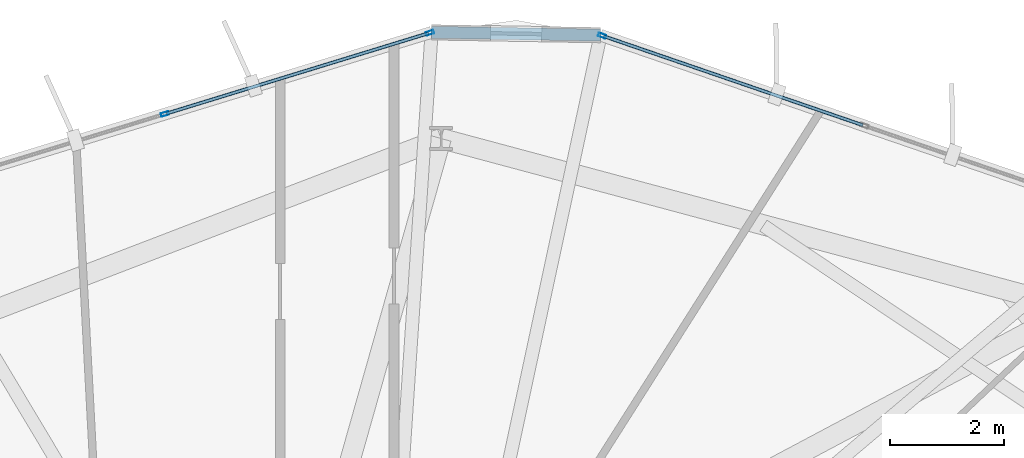
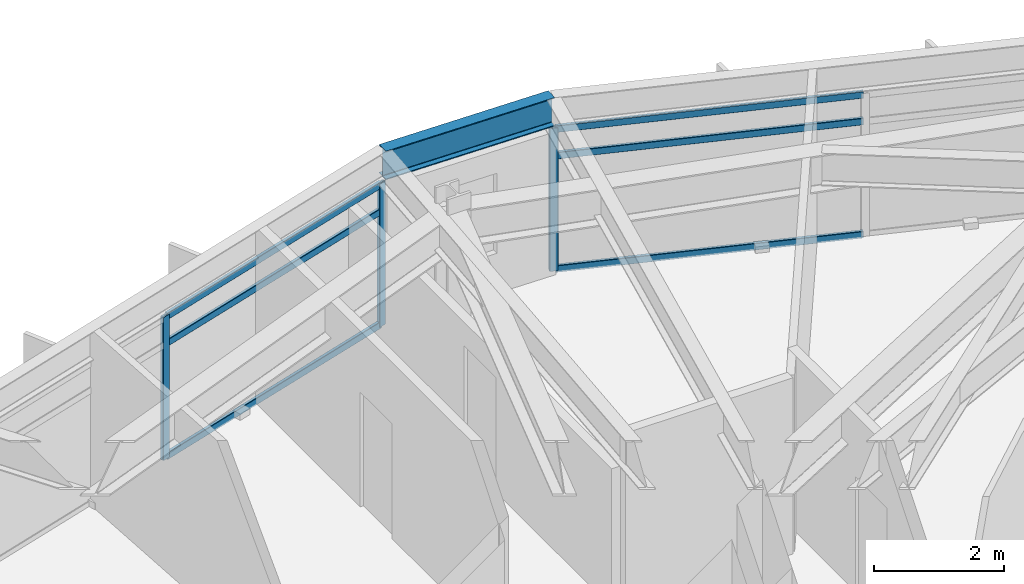
# One storey, part 18 of 29: 9 members, 1 beam, 2 elements without a shape of their own.
"""IFC4 building model written with IfcOpenShell, lengths in metres."""

import ifcopenshell
import ifcopenshell.guid

model = None  # the IFC model being written
_history = None  # IfcOwnerHistory: only IFC2X3 demands one
_inside = {}  # id of a spatial element -> (the spatial element, [elements in it])
_under = {}  # id of a project, library or spatial element -> (it, [spatial elements below it])
_declared = {}  # id of a project -> (the project, [libraries it declares])
_typed = {}  # id of a type object -> (the type object, [elements of that type])
_made_of = {}  # id of a material, layer set ... -> (it, [elements and type objects made of it])


def new_model(schema):
    """Start an empty IFC model of exactly this schema.

    Asked for "IFC4X3", IfcOpenShell would pick the latest addendum, in which some entities
    have other attributes; the version numbers below select the first issue.
    IFC2X3 requires an IfcOwnerHistory on every rooted entity: one is made here for all.
    """
    global model, _history
    if schema == "IFC4X3":
        model = ifcopenshell.file(schema_version=(4, 3, 0, 0))
    else:
        model = ifcopenshell.file(schema=schema)
    _inside.clear()
    _under.clear()
    _declared.clear()
    _typed.clear()
    _made_of.clear()
    _history = None
    if model.schema == "IFC2X3":
        org = make("IfcOrganization", Name="unknown")
        user = make(
            "IfcPersonAndOrganization",
            ThePerson=make("IfcPerson", FamilyName="unknown"),
            TheOrganization=org,
        )
        app = make(
            "IfcApplication",
            ApplicationDeveloper=org,
            Version="unknown",
            ApplicationFullName="unknown",
            ApplicationIdentifier="unknown",
        )
        _history = make(
            "IfcOwnerHistory",
            OwningUser=user,
            OwningApplication=app,
            ChangeAction="ADDED",
            CreationDate=0,
        )
    return model


def make(cls, **values):
    """One entity of the class cls with the attributes given. An attribute that is None is left unset."""
    return model.create_entity(
        cls, **{name: value for name, value in values.items() if value is not None}
    )


def rooted(cls, **values):
    """An entity with a GlobalId (a new one), such as an element, a storey or a relation."""
    return make(cls, GlobalId=ifcopenshell.guid.new(), OwnerHistory=_history, **values)


def si_unit(unit_type, name, prefix=None):
    """IfcSIUnit, for example si_unit("LENGTHUNIT", "METRE", prefix="MILLI")."""
    return make("IfcSIUnit", UnitType=unit_type, Prefix=prefix, Name=name)


def assignment(units):
    """IfcUnitAssignment: the units of a project."""
    return None if units is None else make("IfcUnitAssignment", Units=units)


def point(xyz):
    """IfcCartesianPoint."""
    return None if xyz is None else make("IfcCartesianPoint", Coordinates=xyz)


def direction(xyz):
    """IfcDirection."""
    return None if xyz is None else make("IfcDirection", DirectionRatios=xyz)


def frame(location, z_axis=None, x_axis=None):
    """IfcAxis2Placement3D, a coordinate frame: its origin and axes. An axis left out is left unset."""
    return make(
        "IfcAxis2Placement3D",
        Location=point(location),
        Axis=direction(z_axis),
        RefDirection=direction(x_axis),
    )


def frame_2d(location, x_axis=None):
    """IfcAxis2Placement2D, a coordinate frame in the plane: its origin and x axis."""
    return make(
        "IfcAxis2Placement2D", Location=point(location), RefDirection=direction(x_axis)
    )


def origin():
    """The frame at (0, 0, 0) with its axes left unset."""
    return frame((0.0, 0.0, 0.0))


def origin_2d():
    """The frame at (0, 0) in the plane with its x axis left unset."""
    return frame_2d((0.0, 0.0))


def place(relative_to, where):
    """IfcLocalPlacement: puts the frame where relative to a parent placement (None: the world)."""
    return make(
        "IfcLocalPlacement", PlacementRelTo=relative_to, RelativePlacement=where
    )


def context(
    kind, dimensions, precision=None, world=None, true_north=None, identifier=None
):
    """IfcGeometricRepresentationContext, for example the 3D "Model" context."""
    return make(
        "IfcGeometricRepresentationContext",
        ContextIdentifier=identifier,
        ContextType=kind,
        CoordinateSpaceDimension=dimensions,
        Precision=precision,
        WorldCoordinateSystem=world,
        TrueNorth=true_north,
    )


def subcontext(parent, identifier, kind, view, scale=None):
    """IfcGeometricRepresentationSubContext, for example "Body" below "Model"."""
    return make(
        "IfcGeometricRepresentationSubContext",
        ContextIdentifier=identifier,
        ContextType=kind,
        ParentContext=parent,
        TargetScale=scale,
        TargetView=view,
    )


def project(units=None, contexts=None):
    """IfcProject with its units and contexts."""
    return rooted(
        "IfcProject",
        Name="project",
        RepresentationContexts=contexts,
        UnitsInContext=assignment(units),
    )


def spatial(cls, under=None, at=None, **own):
    """A site, building, storey or space (cls), placed at a placement, below another one or the project."""
    s = rooted(cls, ObjectPlacement=at, **own)
    if under is not None:
        _under.setdefault(under.id(), (under, []))[1].append(s)
    return s


def profile(cls, at=None, kind="AREA", **sizes):
    """A parametric profile (cls). Its sizes go by their IFC names, for example OverallWidth=200.0."""
    return make(cls, ProfileType=kind, Position=at, **sizes)


def hollow_rectangle(**sizes):
    """IfcRectangleHollowProfileDef."""
    return profile("IfcRectangleHollowProfileDef", **sizes)


def i_section(**sizes):
    """IfcIShapeProfileDef."""
    return profile("IfcIShapeProfileDef", **sizes)


def extrude(swept, where, along, depth):
    """IfcExtrudedAreaSolid: the profile swept, set in the frame where, extruded along a direction by depth."""
    return make(
        "IfcExtrudedAreaSolid",
        SweptArea=swept,
        Position=where,
        ExtrudedDirection=direction(along),
        Depth=depth,
    )


def shape(context_of_items, identifier, shape_type, items):
    """IfcShapeRepresentation: the items that make up one representation, for example the "Body"."""
    return make(
        "IfcShapeRepresentation",
        ContextOfItems=context_of_items,
        RepresentationIdentifier=identifier,
        RepresentationType=shape_type,
        Items=items,
    )


def material(Name=None, Category=None):
    """IfcMaterial."""
    return make("IfcMaterial", Name=Name, Category=Category)


def layer(
    of_material, thickness, ventilated=None, Name=None, Category=None, Priority=None
):
    """IfcMaterialLayer: one layer of a wall or slab, of a material (None: an air gap)."""
    return make(
        "IfcMaterialLayer",
        Material=of_material,
        LayerThickness=thickness,
        IsVentilated=ventilated,
        Name=Name,
        Category=Category,
        Priority=Priority,
    )


def layer_set(layers, Name=None):
    """IfcMaterialLayerSet."""
    return make("IfcMaterialLayerSet", MaterialLayers=layers, LayerSetName=Name)


def material_profile(
    of_material, cross_section, Name=None, Category=None, Priority=None
):
    """IfcMaterialProfile: a cross section and its material."""
    return make(
        "IfcMaterialProfile",
        Name=Name,
        Material=of_material,
        Profile=cross_section,
        Priority=Priority,
        Category=Category,
    )


def profile_set(profiles, Name=None, composite=None):
    """IfcMaterialProfileSet."""
    return make(
        "IfcMaterialProfileSet",
        Name=Name,
        MaterialProfiles=profiles,
        CompositeProfile=composite,
    )


def made_of(thing, what):
    """Note that an element or type object is made of a material, layer set ...; save() writes the relation."""
    if what is not None:
        _made_of.setdefault(what.id(), (what, []))[1].append(thing)
    return thing


def type_object(cls, material=None, **own):
    """A type object (cls), such as IfcWallType, which elements share."""
    return made_of(rooted(cls, **own), material)


def element(
    cls,
    number,
    at=None,
    inside=None,
    cuts=None,
    type_object=None,
    material=None,
    context=None,
    identifier="Body",
    shape_type=None,
    held_by="IfcProductDefinitionShape",
    body=None,
    shapes=None,
    **own,
):
    """One element of the class cls, such as IfcWall. Its Tag is "e" and its number.

    at: its placement. inside: the storey or other place that contains it. cuts: it is an
    opening in that element (IfcRelVoidsElement). A single representation is given by context,
    identifier, shape_type and body (its items); several are given by shapes. held_by: the class
    of the entity that holds the representations. save() writes the other relations.
    """
    e = rooted(cls, Tag="e%d" % number, ObjectPlacement=at, **own)
    if body is not None:
        shapes = [shape(context, identifier, shape_type, body)]
    if shapes is not None:
        e.Representation = make(held_by, Representations=shapes)
    if inside is not None:
        _inside.setdefault(inside.id(), (inside, []))[1].append(e)
    if cuts is not None:
        rooted(
            "IfcRelVoidsElement", RelatingBuildingElement=cuts, RelatedOpeningElement=e
        )
    if type_object is not None:
        _typed.setdefault(type_object.id(), (type_object, []))[1].append(e)
    return made_of(e, material)


def aggregate(whole, parts):
    """IfcRelAggregates: a whole, such as a stair, and the parts it consists of."""
    return rooted("IfcRelAggregates", RelatingObject=whole, RelatedObjects=parts)


def save(model, path):
    """Write the relations noted so far, then the file.

    IfcRelAggregates (storeys below a building ...), IfcRelContainedInSpatialStructure (elements
    in a storey), IfcRelDefinesByType, IfcRelAssociatesMaterial and IfcRelDeclares: one each for
    every whole, place, type object, material and project.
    """
    for whole, parts in _under.values():
        aggregate(whole, parts)
    for where, things in _inside.values():
        rooted(
            "IfcRelContainedInSpatialStructure",
            RelatedElements=things,
            RelatingStructure=where,
        )
    for kind, things in _typed.values():
        rooted("IfcRelDefinesByType", RelatedObjects=things, RelatingType=kind)
    for what, things in _made_of.values():
        rooted("IfcRelAssociatesMaterial", RelatedObjects=things, RelatingMaterial=what)
    for by, libraries in _declared.values():
        rooted("IfcRelDeclares", RelatingContext=by, RelatedDefinitions=libraries)
    model.write(path)


model = new_model("IFC4")

# Units and contexts
model_context = context("Model", 3, precision=1e-05, world=origin(), true_north=direction((0.0, 1.0)))
body_context = subcontext(model_context, "Body", "Model", "MODEL_VIEW")
ifc_project = project(units=[si_unit("LENGTHUNIT", "METRE"), si_unit("AREAUNIT", "SQUARE_METRE"), si_unit("VOLUMEUNIT", "CUBIC_METRE"), si_unit("PLANEANGLEUNIT", "RADIAN"), si_unit("MASSUNIT", "GRAM", prefix="KILO")], contexts=[model_context])

# Site, building, storey
site_placement = place(None, origin())
site = spatial("IfcSite", under=ifc_project, at=site_placement, CompositionType="ELEMENT")
building_placement = place(site_placement, origin())
building = spatial("IfcBuilding", under=site, at=building_placement, Name="Soratama Intermodal Tower", CompositionType="ELEMENT")
storey_placement = place(building_placement, frame((0.0, 0.0, 226.60009765625)))
storey = spatial("IfcBuildingStorey", under=building, at=storey_placement, Name="L57", CompositionType="ELEMENT", Elevation=226.60009765625)

# Beam
ifc_material_1 = material(Name="Structural steel ASTM A992 Grade 50", Category="steel")
ifc_material_profile_1 = material_profile(ifc_material_1, i_section(OverallWidth=0.2099609375, OverallDepth=0.537109375, WebThickness=0.010986328125, FlangeThickness=0.017333984375, FilletRadius=0.012939453125, at=origin_2d()), Name="W21X68")
ifc_profile_set_1 = profile_set([ifc_material_profile_1], Name="Structural steel ASTM A992 Grade 50")
beam_type = type_object("IfcBeamType", Name="BM-SPN-W21X68", PredefinedType="SPANDREL", material=ifc_profile_set_1)
beam_placement = place(storey_placement, frame((46.824951171875, 45.389892578125, 3.031494140625), z_axis=(-0.999857667547, 0.016871415083, 0.0), x_axis=(-0.016871415083, -0.999857667547, 0.0)))
element("IfcBeam", 1, at=beam_placement, inside=storey, type_object=beam_type, Name="BS-L57-CRN01", PredefinedType="SPANDREL", context=body_context, shape_type="SweptSolid", body=[
    extrude(i_section(OverallWidth=0.2099609375, OverallDepth=0.537109375, WebThickness=0.010986328125, FlangeThickness=0.017333984375, FilletRadius=0.012939453125, at=origin_2d()), origin(), (0.0, 0.0, 1.0), 2.966552734375),
])

# Curtain wall, member
ifc_material_2 = material(Name="Double-glazed aluminium curtain wall", Category="aluminium")
ifc_layer = layer(ifc_material_2, 0.159912109375)
ifc_layer_set = layer_set([ifc_layer], Name="Double-glazed aluminium curtain wall")
curtain_wall_type = type_object("IfcCurtainWallType", Name="CW-SYS-5", PredefinedType="NOTDEFINED", material=ifc_layer_set)
curtain_wall_1_placement = place(storey_placement, origin())
curtain_wall_1 = element("IfcCurtainWall", 2, at=curtain_wall_1_placement, inside=storey, type_object=curtain_wall_type, Name="L57 Faceted Curtain Wall F01", PredefinedType="NOTDEFINED")
ifc_material_3 = material(Name="Anodised aluminium AA 6063-T6", Category="aluminium")
ifc_material_profile_2 = material_profile(ifc_material_3, hollow_rectangle(XDim=0.06494140625, YDim=0.139892578125, WallThickness=0.0048828125, InnerFilletRadius=0.0048828125, OuterFilletRadius=0.010009765625, at=origin_2d()), Name="CWM140X65X5")
ifc_profile_set_2 = profile_set([ifc_material_profile_2], Name="Anodised aluminium AA 6063-T6")
member_type_1 = type_object("IfcMemberType", Name="MT-CWM-5", PredefinedType="MULLION", material=ifc_profile_set_2)
member_1_placement = place(storey_placement, frame((46.853515625, 45.380615234375, 0.0), z_axis=(0.0, 0.0, 1.0), x_axis=(-0.324904335473, -0.945746886218, 0.0)))
member_1 = element("IfcMember", 3, at=member_1_placement, type_object=member_type_1, Name="CW-5 mullion 3", PredefinedType="MULLION", context=body_context, shape_type="SweptSolid", body=[
    extrude(hollow_rectangle(XDim=0.06494140625, YDim=0.139892578125, WallThickness=0.0048828125, InnerFilletRadius=0.0048828125, OuterFilletRadius=0.010009765625, at=origin_2d()), origin(), (0.0, 0.0, 1.0), 2.678955078125),
])

# Curtain wall, members
curtain_wall_2_placement = place(storey_placement, origin())
curtain_wall_2 = element("IfcCurtainWall", 4, at=curtain_wall_2_placement, inside=storey, type_object=curtain_wall_type, Name="L57 Faceted Curtain Wall F02", PredefinedType="NOTDEFINED")
member_2_placement = place(storey_placement, frame((43.830322265625, 45.43115234375, 0.0), z_axis=(0.0, 0.0, 1.0), x_axis=(0.293040686331, -0.956099971841, 0.0)))
member_2 = element("IfcMember", 5, at=member_2_placement, type_object=member_type_1, Name="CW-5 mullion 1", PredefinedType="MULLION", context=body_context, shape_type="SweptSolid", body=[
    extrude(hollow_rectangle(XDim=0.06494140625, YDim=0.139892578125, WallThickness=0.0048828125, InnerFilletRadius=0.0048828125, OuterFilletRadius=0.010009765625, at=origin_2d()), origin(), (0.0, 0.0, 1.0), 2.678955078125),
])
member_3_placement = place(storey_placement, frame((39.17529296875, 44.00439453125, 0.0), z_axis=(0.0, 0.0, 1.0), x_axis=(0.293040686331, -0.956099971841, 0.0)))
member_3 = element("IfcMember", 6, at=member_3_placement, type_object=member_type_1, Name="CW-5 mullion 2", PredefinedType="MULLION", context=body_context, shape_type="SweptSolid", body=[
    extrude(hollow_rectangle(XDim=0.06494140625, YDim=0.139892578125, WallThickness=0.0048828125, InnerFilletRadius=0.0048828125, OuterFilletRadius=0.010009765625, at=origin_2d()), origin(), (0.0, 0.0, 1.0), 2.678955078125),
])

# Member
ifc_material_4 = material(Name="Anodised aluminium AA 6063-T6", Category="aluminium")
ifc_material_profile_3 = material_profile(ifc_material_4, hollow_rectangle(XDim=0.06005859375, YDim=0.1298828125, WallThickness=0.0048828125, InnerFilletRadius=0.0048828125, OuterFilletRadius=0.010009765625, at=origin_2d()), Name="CWT130X60X5")
ifc_profile_set_3 = profile_set([ifc_material_profile_3], Name="Anodised aluminium AA 6063-T6")
member_type_2 = type_object("IfcMemberType", Name="TT-CWT-2", PredefinedType="USERDEFINED", material=ifc_profile_set_3)
member_4_placement = place(storey_placement, frame((51.429931640625, 43.808349609375, 0.02978515625), z_axis=(-0.945744623043, 0.324910923156, 0.0), x_axis=(-0.324910923156, -0.945744623043, 0.0)))
member_4 = element("IfcMember", 7, at=member_4_placement, type_object=member_type_2, Name="CW-5 transom 2.1", ObjectType="TRANSOM", PredefinedType="USERDEFINED", context=body_context, shape_type="SweptSolid", body=[
    extrude(hollow_rectangle(XDim=0.06005859375, YDim=0.1298828125, WallThickness=0.0048828125, InnerFilletRadius=0.0048828125, OuterFilletRadius=0.010009765625, at=origin_2d()), origin(), (0.0, 0.0, 1.0), 4.80908203125),
])

member_5_placement = place(storey_placement, frame((51.429931640625, 43.808349609375, 2.14990234375), z_axis=(-0.945744623043, 0.324910923156, 0.0), x_axis=(-0.324910923156, -0.945744623043, 0.0)))
member_5 = element("IfcMember", 8, at=member_5_placement, type_object=member_type_2, Name="CW-5 transom 2.2", ObjectType="TRANSOM", PredefinedType="USERDEFINED", context=body_context, shape_type="SweptSolid", body=[
    extrude(hollow_rectangle(XDim=0.06005859375, YDim=0.1298828125, WallThickness=0.0048828125, InnerFilletRadius=0.0048828125, OuterFilletRadius=0.010009765625, at=origin_2d()), origin(), (0.0, 0.0, 1.0), 4.80908203125),
])

member_6_placement = place(storey_placement, frame((51.429931640625, 43.808349609375, 2.64892578125), z_axis=(-0.945744623043, 0.324910923156, 0.0), x_axis=(-0.324910923156, -0.945744623043, 0.0)))
member_6 = element("IfcMember", 9, at=member_6_placement, type_object=member_type_2, Name="CW-5 transom 2.3", ObjectType="TRANSOM", PredefinedType="USERDEFINED", context=body_context, shape_type="SweptSolid", body=[
    extrude(hollow_rectangle(XDim=0.06005859375, YDim=0.1298828125, WallThickness=0.0048828125, InnerFilletRadius=0.0048828125, OuterFilletRadius=0.010009765625, at=origin_2d()), origin(), (0.0, 0.0, 1.0), 4.80908203125),
])

aggregate(curtain_wall_1, [member_1, member_4, member_5, member_6])

member_7_placement = place(storey_placement, frame((43.801513671875, 45.42236328125, 0.02978515625), z_axis=(-0.956098977525, -0.293043930452, 0.0), x_axis=(0.293043930452, -0.956098977525, 0.0)))
member_7 = element("IfcMember", 10, at=member_7_placement, type_object=member_type_2, Name="CW-5 transom 1.1", ObjectType="TRANSOM", PredefinedType="USERDEFINED", context=body_context, shape_type="SweptSolid", body=[
    extrude(hollow_rectangle(XDim=0.06005859375, YDim=0.1298828125, WallThickness=0.0048828125, InnerFilletRadius=0.0048828125, OuterFilletRadius=0.010009765625, at=origin_2d()), origin(), (0.0, 0.0, 1.0), 4.808837890625),
])

member_8_placement = place(storey_placement, frame((43.801513671875, 45.42236328125, 2.14990234375), z_axis=(-0.956098977525, -0.293043930452, 0.0), x_axis=(0.293043930452, -0.956098977525, 0.0)))
member_8 = element("IfcMember", 11, at=member_8_placement, type_object=member_type_2, Name="CW-5 transom 1.2", ObjectType="TRANSOM", PredefinedType="USERDEFINED", context=body_context, shape_type="SweptSolid", body=[
    extrude(hollow_rectangle(XDim=0.06005859375, YDim=0.1298828125, WallThickness=0.0048828125, InnerFilletRadius=0.0048828125, OuterFilletRadius=0.010009765625, at=origin_2d()), origin(), (0.0, 0.0, 1.0), 4.808837890625),
])

member_9_placement = place(storey_placement, frame((43.801513671875, 45.42236328125, 2.64892578125), z_axis=(-0.956098977525, -0.293043930452, 0.0), x_axis=(0.293043930452, -0.956098977525, 0.0)))
member_9 = element("IfcMember", 12, at=member_9_placement, type_object=member_type_2, Name="CW-5 transom 1.3", ObjectType="TRANSOM", PredefinedType="USERDEFINED", context=body_context, shape_type="SweptSolid", body=[
    extrude(hollow_rectangle(XDim=0.06005859375, YDim=0.1298828125, WallThickness=0.0048828125, InnerFilletRadius=0.0048828125, OuterFilletRadius=0.010009765625, at=origin_2d()), origin(), (0.0, 0.0, 1.0), 4.808837890625),
])

aggregate(curtain_wall_2, [member_2, member_3, member_7, member_8, member_9])

save(model, "model.ifc")
